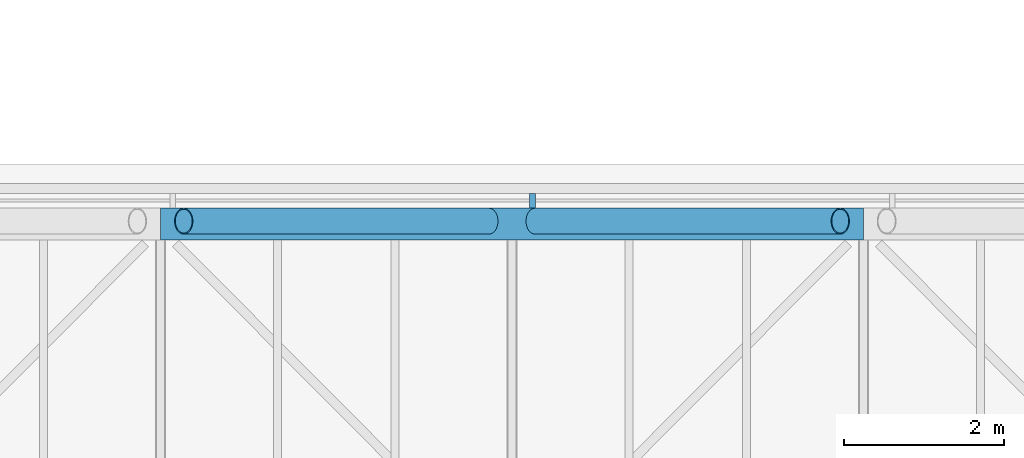
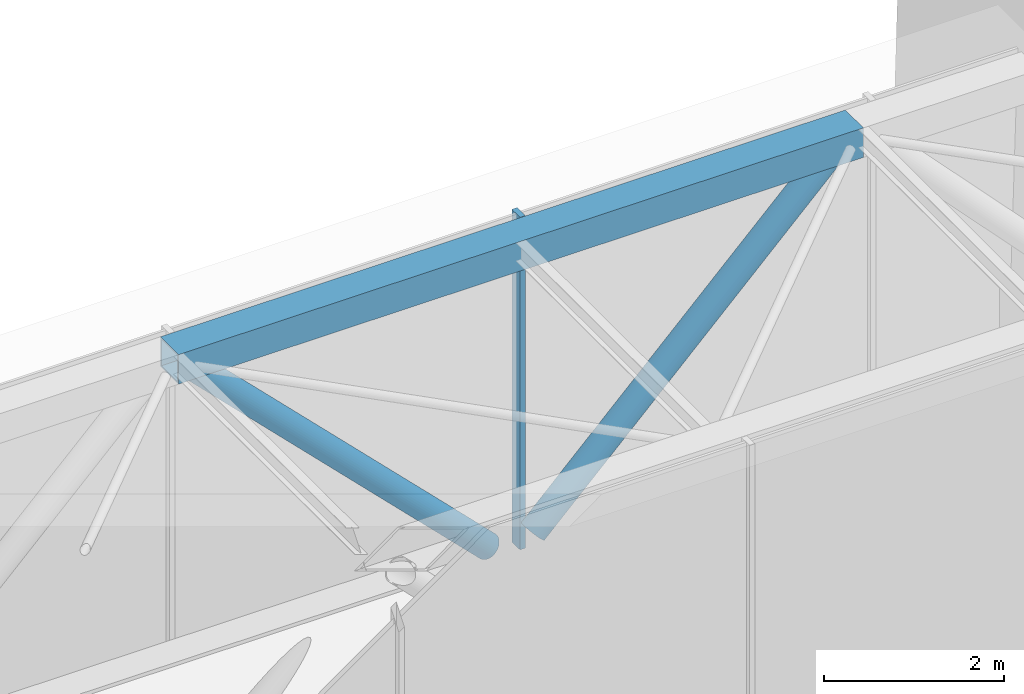
# One storey, part 5 of 26: 4 members, 1 element without a shape of its own.
"""IFC4 building model written with IfcOpenShell, lengths in metres."""

from ifc_helpers import new_model, si_unit, direction, frame, origin, origin_2d, place, context, subcontext, project, spatial, rectangle, hollow_rectangle, hollow_circle, extrude, material, layer, layer_set, material_profile, profile_set, type_object, element, aggregate, save


model = new_model("IFC4")

# Units and contexts
model_context = context("Model", 3, precision=1e-05, world=origin(), true_north=direction((0.0, 1.0)))
body_context = subcontext(model_context, "Body", "Model", "MODEL_VIEW")
ifc_project = project(units=[si_unit("LENGTHUNIT", "METRE"), si_unit("AREAUNIT", "SQUARE_METRE"), si_unit("VOLUMEUNIT", "CUBIC_METRE"), si_unit("PLANEANGLEUNIT", "RADIAN"), si_unit("MASSUNIT", "GRAM", prefix="KILO")], contexts=[model_context])

# Site, building, storey
site_placement = place(None, origin())
site = spatial("IfcSite", under=ifc_project, at=site_placement, CompositionType="ELEMENT")
building_placement = place(site_placement, origin())
building = spatial("IfcBuilding", under=site, at=building_placement, Name="Ipe Terrace Towers", CompositionType="ELEMENT")
storey_placement = place(building_placement, frame((0.0, 0.0, 181.300048828125)))
storey = spatial("IfcBuildingStorey", under=building, at=storey_placement, Name="L50", CompositionType="ELEMENT", Elevation=181.300048828125)

# Curtain wall, member
ifc_material_1 = material(Name="Aluminium alloy 6063-T6", Category="aluminium")
ifc_layer = layer(ifc_material_1, 0.300048828125)
ifc_layer_set = layer_set([ifc_layer], Name="BRIDGE ENCLOSURE CURTAIN WALL")
curtain_wall_type = type_object("IfcCurtainWallType", Name="BRIDGE ENCLOSURE CURTAIN WALL", PredefinedType="NOTDEFINED", material=ifc_layer_set)
curtain_wall_placement = place(storey_placement, origin())
curtain_wall = element("IfcCurtainWall", 1, at=curtain_wall_placement, inside=storey, type_object=curtain_wall_type, Name="BR3-CW1 curtain wall", PredefinedType="NOTDEFINED")
ifc_material_2 = material(Name="Aluminium alloy 6063-T6", Category="aluminium")
ifc_material_profile_1 = material_profile(ifc_material_2, rectangle(XDim=0.179931640625, YDim=0.070068359375, at=origin_2d()), Name="BRIDGE ENCLOSURE MULLION 180 x 70")
ifc_profile_set_1 = profile_set([ifc_material_profile_1], Name="Aluminium alloy 6063-T6")
member_type_1 = type_object("IfcMemberType", Name="BRIDGE ENCLOSURE MULLION 180 x 70", PredefinedType="MULLION", material=ifc_profile_set_1)
member_1_placement = place(storey_placement, frame((6.73828125, 2.544921875, -0.300048828125), z_axis=(0.0, 0.0, 1.0), x_axis=(0.0, 1.0, 0.0)))
member_1 = element("IfcMember", 2, at=member_1_placement, type_object=member_type_1, Name="BR3-CW1 mullion 3", PredefinedType="MULLION", context=body_context, shape_type="SweptSolid", body=[
    extrude(rectangle(XDim=0.179931640625, YDim=0.070068359375, at=origin_2d()), origin(), (0.0, 0.0, 1.0), 4.5),
])
aggregate(curtain_wall, [member_1])

# Members
ifc_material_3 = material(Name="Steel S355", Category="steel")
ifc_material_profile_2 = material_profile(ifc_material_3, hollow_rectangle(XDim=0.39990234375, YDim=0.39990234375, WallThickness=0.02001953125, at=origin_2d()), Name="BRIDGE-CHORD BOX 400x400x20")
ifc_profile_set_2 = profile_set([ifc_material_profile_2], Name="Steel S355")
member_type_2 = type_object("IfcMemberType", Name="BRIDGE-CHORD BOX 400x400x20", PredefinedType="CHORD", material=ifc_profile_set_2)
member_2_placement = place(storey_placement, frame((2.10009765625, 2.25, 4.0), z_axis=(1.0, 0.0, 0.0), x_axis=(0.0, 1.0, 0.0)))
element("IfcMember", 3, at=member_2_placement, inside=storey, type_object=member_type_2, Name="BR3-TNTC-021 top chord", PredefinedType="CHORD", context=body_context, shape_type="SweptSolid", body=[
    extrude(hollow_rectangle(XDim=0.39990234375, YDim=0.39990234375, WallThickness=0.02001953125, at=origin_2d()), origin(), (0.0, 0.0, 1.0), 8.765869140625),
])
ifc_material_4 = material(Name="Steel S355", Category="steel")
ifc_material_profile_3 = material_profile(ifc_material_4, hollow_circle(Radius=0.162109375, WallThickness=0.013916015625, at=origin_2d()), Name="BRIDGE-DIAGONAL CHS 324x14")
ifc_profile_set_3 = profile_set([ifc_material_profile_3], Name="Steel S355")
member_type_3 = type_object("IfcMemberType", Name="BRIDGE-DIAGONAL CHS 324x14", PredefinedType="BRACE", material=ifc_profile_set_3)
member_3_placement = place(storey_placement, frame((2.388916015625, 2.2880859375, 3.820068359375), z_axis=(0.708514587291, 0.0, -0.70569616663), x_axis=(0.0, 1.0, 0.0)))
element("IfcMember", 4, at=member_3_placement, inside=storey, type_object=member_type_3, Name="BR3-TND-028 diagonal", PredefinedType="BRACE", context=body_context, shape_type="SweptSolid", body=[
    extrude(hollow_circle(Radius=0.162109375, WallThickness=0.013916015625, at=origin_2d()), origin(), (0.0, 0.0, 1.0), 5.37060546875),
])
member_4_placement = place(storey_placement, frame((6.77197265625, 2.2880859375, 0.030029296875), z_axis=(0.708491947593, 0.0, 0.705718896017), x_axis=(0.0, 1.0, 0.0)))
element("IfcMember", 5, at=member_4_placement, inside=storey, type_object=member_type_3, Name="BR3-TND-029 diagonal", PredefinedType="BRACE", context=body_context, shape_type="SweptSolid", body=[
    extrude(hollow_circle(Radius=0.162109375, WallThickness=0.013916015625, at=origin_2d()), origin(), (0.0, 0.0, 1.0), 5.370361328125),
])

save(model, "model.ifc")
